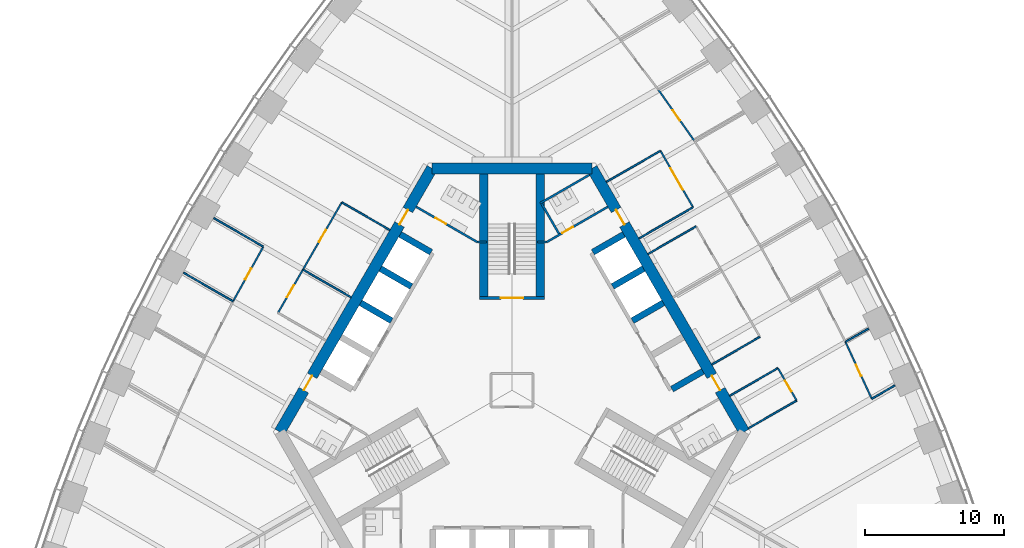
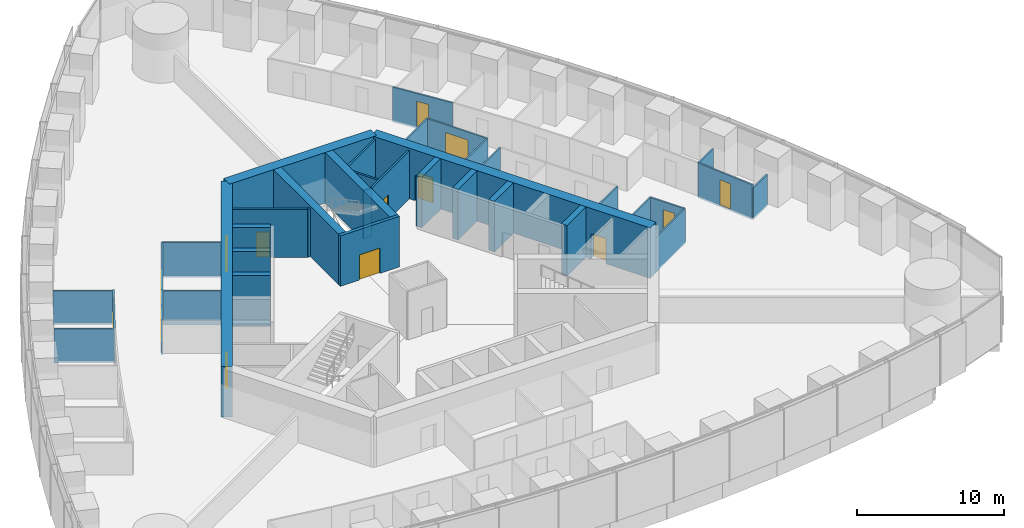
# One storey, part 12 of 18: 38 walls, 14 doors, 14 openings.
"""IFC4 building model written with IfcOpenShell, lengths in metres."""

from ifc_helpers import new_model, si_unit, direction, frame, frame_2d, origin, place, context, subcontext, project, spatial, rectangle, extrude, material, layer, layer_set, type_object, element, fill, save


model = new_model("IFC4")

# Units and contexts
model_context = context("Model", 3, precision=1e-05, world=origin(), true_north=direction((0.0, 1.0)))
body_context = subcontext(model_context, "Body", "Model", "MODEL_VIEW")
ifc_project = project(units=[si_unit("LENGTHUNIT", "METRE"), si_unit("AREAUNIT", "SQUARE_METRE"), si_unit("VOLUMEUNIT", "CUBIC_METRE"), si_unit("PLANEANGLEUNIT", "RADIAN"), si_unit("MASSUNIT", "GRAM", prefix="KILO")], contexts=[model_context])

# Site, building, storey
site_placement = place(None, origin())
site = spatial("IfcSite", under=ifc_project, at=site_placement, CompositionType="ELEMENT")
building_placement = place(site_placement, origin())
building = spatial("IfcBuilding", under=site, at=building_placement, Name="Trefoil Bronze Tower", CompositionType="ELEMENT")
storey_placement = place(building_placement, frame((0.0, 0.0, 157.699951171875)))
storey = spatial("IfcBuildingStorey", under=building, at=storey_placement, Name="L36", CompositionType="ELEMENT", Elevation=157.699951171875)

# Wall, openings, doors
ifc_material_1 = material(Name="Concrete B80", Category="concrete")
ifc_layer_1 = layer(ifc_material_1, 0.800048828125)
ifc_layer_set_1 = layer_set([ifc_layer_1], Name="Core wall 800")
wall_type_1 = type_object("IfcWallType", Name="Core wall 800", PredefinedType="SHEAR", material=ifc_layer_set_1)
wall_1_placement = place(storey_placement, frame((16.7431640625, -3.0, 0.0), z_axis=(0.0, 0.0, 1.0), x_axis=(-0.500002442456, 0.866023993627, 0.0)))
wall_1 = element("IfcWall", 1, at=wall_1_placement, inside=storey, type_object=wall_type_1, Name="Core long wall 2 L36", PredefinedType="SHEAR", context=body_context, shape_type="SweptSolid", body=[
    extrude(rectangle(XDim=21.939453125, YDim=0.800048828125, at=frame_2d((10.9697265625, 0.0))), origin(), (0.0, 0.0, 1.0), 4.199951171875),
])
opening_1_placement = place(wall_1_placement, frame((17.269775390625, 0.0, 0.0)))
opening_1 = element("IfcOpeningElement", 2, at=opening_1_placement, cuts=wall_1, Name="Opening D2", PredefinedType="OPENING", context=body_context, shape_type="SweptSolid", body=[
    extrude(rectangle(XDim=1.199951171875, YDim=2.10009765625, at=frame_2d((0.60009765625, 1.050048828125))), frame((0.0, 0.409912109375, 0.0), z_axis=(0.0, -1.0, 0.0), x_axis=(1.0, 0.0, 0.0)), (0.0, 0.0, 1.0), 0.820068359375),
])
opening_2_placement = place(wall_1_placement, frame((3.4697265625, 0.0, 0.0)))
opening_2 = element("IfcOpeningElement", 3, at=opening_2_placement, cuts=wall_1, Name="Opening D2", PredefinedType="OPENING", context=body_context, shape_type="SweptSolid", body=[
    extrude(rectangle(XDim=1.199951171875, YDim=2.10009765625, at=frame_2d((0.60009765625, 1.050048828125))), frame((0.0, 0.409912109375, 0.0), z_axis=(0.0, -1.0, 0.0), x_axis=(1.0, 0.0, 0.0)), (0.0, 0.0, 1.0), 0.820068359375),
])
ifc_material_2 = material(Name="Steel door", Category="steel")
door_type_1 = type_object("IfcDoorType", Name="Lobby door 1200", OperationType="SINGLE_SWING_RIGHT", PredefinedType="DOOR", material=ifc_material_2)
door_1_placement = place(opening_1_placement, origin())
door_1 = element("IfcDoor", 4, at=door_1_placement, inside=storey, type_object=door_type_1, Name="Lobby door F2+ L36", OperationType="SINGLE_SWING_RIGHT", OverallHeight=2.10009765625, OverallWidth=1.199951171875, PredefinedType="DOOR", context=body_context, shape_type="SweptSolid", body=[
    extrude(rectangle(XDim=1.199951171875, YDim=2.10009765625, at=frame_2d((0.60009765625, 1.050048828125))), frame((0.0, 0.02490234375, 0.0), z_axis=(0.0, -1.0, 0.0), x_axis=(1.0, 0.0, 0.0)), (0.0, 0.0, 1.0), 0.050048828125),
])
fill(opening_1, door_1)
door_2_placement = place(opening_2_placement, origin())
door_2 = element("IfcDoor", 5, at=door_2_placement, inside=storey, type_object=door_type_1, Name="Lobby door F2- L36", OperationType="SINGLE_SWING_LEFT", OverallHeight=2.10009765625, OverallWidth=1.199951171875, PredefinedType="DOOR", context=body_context, shape_type="SweptSolid", body=[
    extrude(rectangle(XDim=1.199951171875, YDim=2.10009765625, at=frame_2d((0.60009765625, 1.050048828125))), frame((0.0, 0.02490234375, 0.0), z_axis=(0.0, -1.0, 0.0), x_axis=(1.0, 0.0, 0.0)), (0.0, 0.0, 1.0), 0.050048828125),
])
fill(opening_2, door_2)

# Wall
wall_2_placement = place(storey_placement, frame((5.7734375, 16.0, 0.0), z_axis=(0.0, 0.0, 1.0), x_axis=(-1.0, 0.0, 0.0)))
element("IfcWall", 6, at=wall_2_placement, inside=storey, type_object=wall_type_1, Name="Core short wall 2 L36", PredefinedType="SHEAR", context=body_context, shape_type="SweptSolid", body=[
    extrude(rectangle(XDim=11.546875, YDim=0.800048828125, at=frame_2d((5.7734375, 0.0))), origin(), (0.0, 0.0, 1.0), 4.199951171875),
])

# Wall, openings, doors
wall_3_placement = place(storey_placement, frame((-5.7734375, 16.0, 0.0), z_axis=(0.0, 0.0, 1.0), x_axis=(-0.500002442456, -0.866023993627, 0.0)))
wall_3 = element("IfcWall", 7, at=wall_3_placement, inside=storey, type_object=wall_type_1, Name="Core long wall 3 L36", PredefinedType="SHEAR", context=body_context, shape_type="SweptSolid", body=[
    extrude(rectangle(XDim=21.939453125, YDim=0.800048828125, at=frame_2d((10.9697265625, 0.0))), origin(), (0.0, 0.0, 1.0), 4.199951171875),
])
opening_3_placement = place(wall_3_placement, frame((17.269775390625, 0.0, 0.0)))
opening_3 = element("IfcOpeningElement", 8, at=opening_3_placement, cuts=wall_3, Name="Opening D2", PredefinedType="OPENING", context=body_context, shape_type="SweptSolid", body=[
    extrude(rectangle(XDim=1.199951171875, YDim=2.10009765625, at=frame_2d((0.60009765625, 1.050048828125))), frame((0.0, 0.409912109375, 0.0), z_axis=(0.0, -1.0, 0.0), x_axis=(1.0, 0.0, 0.0)), (0.0, 0.0, 1.0), 0.820068359375),
])
opening_4_placement = place(wall_3_placement, frame((3.4697265625, 0.0, 0.0)))
opening_4 = element("IfcOpeningElement", 9, at=opening_4_placement, cuts=wall_3, Name="Opening D2", PredefinedType="OPENING", context=body_context, shape_type="SweptSolid", body=[
    extrude(rectangle(XDim=1.199951171875, YDim=2.10009765625, at=frame_2d((0.60009765625, 1.050048828125))), frame((0.0, 0.409912109375, 0.0), z_axis=(0.0, -1.0, 0.0), x_axis=(1.0, 0.0, 0.0)), (0.0, 0.0, 1.0), 0.820068359375),
])
door_3_placement = place(opening_3_placement, origin())
door_3 = element("IfcDoor", 10, at=door_3_placement, inside=storey, type_object=door_type_1, Name="Lobby door F3+ L36", OperationType="SINGLE_SWING_RIGHT", OverallHeight=2.10009765625, OverallWidth=1.199951171875, PredefinedType="DOOR", context=body_context, shape_type="SweptSolid", body=[
    extrude(rectangle(XDim=1.199951171875, YDim=2.10009765625, at=frame_2d((0.60009765625, 1.050048828125))), frame((0.0, 0.02490234375, 0.0), z_axis=(0.0, -1.0, 0.0), x_axis=(1.0, 0.0, 0.0)), (0.0, 0.0, 1.0), 0.050048828125),
])
fill(opening_3, door_3)
door_4_placement = place(opening_4_placement, origin())
door_4 = element("IfcDoor", 11, at=door_4_placement, inside=storey, type_object=door_type_1, Name="Lobby door F3- L36", OperationType="SINGLE_SWING_LEFT", OverallHeight=2.10009765625, OverallWidth=1.199951171875, PredefinedType="DOOR", context=body_context, shape_type="SweptSolid", body=[
    extrude(rectangle(XDim=1.199951171875, YDim=2.10009765625, at=frame_2d((0.60009765625, 1.050048828125))), frame((0.0, 0.02490234375, 0.0), z_axis=(0.0, -1.0, 0.0), x_axis=(1.0, 0.0, 0.0)), (0.0, 0.0, 1.0), 0.050048828125),
])
fill(opening_4, door_4)

# Wall, opening, door
ifc_material_3 = material(Name="Glazed partition", Category="glass")
ifc_layer_2 = layer(ifc_material_3, 0.1201171875)
ifc_layer_set_2 = layer_set([ifc_layer_2], Name="Glazed partition 120")
wall_type_2 = type_object("IfcWallType", Name="Glazed partition 120", PredefinedType="PARTITIONING", material=ifc_layer_set_2)
wall_4_placement = place(storey_placement, frame((13.0517578125, 13.193603515625, 0.0), z_axis=(0.0, 0.0, 1.0), x_axis=(-0.499977259774, 0.866038532462, 0.0)))
wall_4 = element("IfcWall", 12, at=wall_4_placement, inside=storey, type_object=wall_type_2, Name="Partition F2 L36", PredefinedType="PARTITIONING", context=body_context, shape_type="SweptSolid", body=[
    extrude(rectangle(XDim=4.699951171875, YDim=0.1201171875, at=frame_2d((2.35009765625, 0.0))), origin(), (0.0, 0.0, 1.0), 2.900146484375),
])
opening_5_placement = place(wall_4_placement, frame((1.449951171875, 0.0, 0.14990234375)))
opening_5 = element("IfcOpeningElement", 13, at=opening_5_placement, cuts=wall_4, Name="Opening D10", PredefinedType="OPENING", context=body_context, shape_type="SweptSolid", body=[
    extrude(rectangle(XDim=1.800048828125, YDim=2.10009765625, at=frame_2d((0.89990234375, 1.050048828125))), frame((0.0, 0.070068359375, 0.0), z_axis=(0.0, -1.0, 0.0), x_axis=(1.0, 0.0, 0.0)), (0.0, 0.0, 1.0), 0.14013671875),
])
ifc_material_4 = material(Name="Timber door", Category="wood")
door_type_2 = type_object("IfcDoorType", Name="Double door 1800", OperationType="DOUBLE_DOOR_SINGLE_SWING", PredefinedType="DOOR", material=ifc_material_4)
door_5_placement = place(opening_5_placement, origin())
door_5 = element("IfcDoor", 14, at=door_5_placement, inside=storey, type_object=door_type_2, Name="Reception door F2 L36", OperationType="DOUBLE_DOOR_SINGLE_SWING", OverallHeight=2.10009765625, OverallWidth=1.800048828125, PredefinedType="DOOR", context=body_context, shape_type="SweptSolid", body=[
    extrude(rectangle(XDim=1.800048828125, YDim=2.10009765625, at=frame_2d((0.89990234375, 1.050048828125))), frame((0.0, 0.02490234375, 0.0), z_axis=(0.0, -1.0, 0.0), x_axis=(1.0, 0.0, 0.0)), (0.0, 0.0, 1.0), 0.050048828125),
])
fill(opening_5, door_5)

wall_5_placement = place(storey_placement, frame((20.518798828125, -0.73974609375, 0.0), z_axis=(0.0, 0.0, 1.0), x_axis=(-0.4999416173, 0.866059108428, 0.0)))
wall_5 = element("IfcWall", 15, at=wall_5_placement, inside=storey, type_object=wall_type_2, Name="Partition F2 L36", PredefinedType="PARTITIONING", context=body_context, shape_type="SweptSolid", body=[
    extrude(rectangle(XDim=2.699951171875, YDim=0.1201171875, at=frame_2d((1.35009765625, 0.0))), origin(), (0.0, 0.0, 1.0), 2.900146484375),
])
opening_6_placement = place(wall_5_placement, frame((0.75, 0.0, 0.14990234375)))
opening_6 = element("IfcOpeningElement", 16, at=opening_6_placement, cuts=wall_5, Name="Opening D8", PredefinedType="OPENING", context=body_context, shape_type="SweptSolid", body=[
    extrude(rectangle(XDim=0.89990234375, YDim=2.10009765625, at=frame_2d((0.449951171875, 1.050048828125))), frame((0.0, 0.070068359375, 0.0), z_axis=(0.0, -1.0, 0.0), x_axis=(1.0, 0.0, 0.0)), (0.0, 0.0, 1.0), 0.14013671875),
])
ifc_material_5 = material(Name="Timber door", Category="wood")
door_type_3 = type_object("IfcDoorType", Name="Office door 900", OperationType="SINGLE_SWING_LEFT", PredefinedType="DOOR", material=ifc_material_5)
door_6_placement = place(opening_6_placement, origin())
door_6 = element("IfcDoor", 17, at=door_6_placement, inside=storey, type_object=door_type_3, Name="Pantry door F2 L36", OperationType="SINGLE_SWING_LEFT", OverallHeight=2.10009765625, OverallWidth=0.89990234375, PredefinedType="DOOR", context=body_context, shape_type="SweptSolid", body=[
    extrude(rectangle(XDim=0.89990234375, YDim=2.10009765625, at=frame_2d((0.449951171875, 1.050048828125))), frame((0.0, 0.02490234375, 0.0), z_axis=(0.0, -1.0, 0.0), x_axis=(1.0, 0.0, 0.0)), (0.0, 0.0, 1.0), 0.050048828125),
])
fill(opening_6, door_6)

# Walls
wall_6_placement = place(storey_placement, frame((9.8046875, 9.817626953125, 0.0), z_axis=(0.0, 0.0, 1.0), x_axis=(0.866026010844, 0.49999894854, 0.0)))
element("IfcWall", 18, at=wall_6_placement, inside=storey, type_object=wall_type_2, Name="Partition F2 L36", PredefinedType="PARTITIONING", context=body_context, shape_type="SweptSolid", body=[
    extrude(rectangle(XDim=4.0, YDim=0.1201171875, at=frame_2d((2.0, 0.0))), origin(), (0.0, 0.0, 1.0), 2.900146484375),
])
wall_7_placement = place(storey_placement, frame((9.15478515625, 10.943603515625, 0.0), z_axis=(0.0, 0.0, 1.0), x_axis=(0.866017533419, 0.500013631625, 0.0)))
element("IfcWall", 19, at=wall_7_placement, inside=storey, type_object=wall_type_2, Name="Partition F2 L36", PredefinedType="PARTITIONING", context=body_context, shape_type="SweptSolid", body=[
    extrude(rectangle(XDim=4.499755859375, YDim=0.1201171875, at=frame_2d((2.25, 0.0))), origin(), (0.0, 0.0, 1.0), 2.900146484375),
])
wall_8_placement = place(storey_placement, frame((6.8046875, 15.013916015625, 0.0), z_axis=(0.0, 0.0, 1.0), x_axis=(0.866031096941, 0.499990139034, 0.0)))
element("IfcWall", 20, at=wall_8_placement, inside=storey, type_object=wall_type_2, Name="Partition F2 L36", PredefinedType="PARTITIONING", context=body_context, shape_type="SweptSolid", body=[
    extrude(rectangle(XDim=4.5, YDim=0.1201171875, at=frame_2d((2.25, 0.0))), origin(), (0.0, 0.0, 1.0), 2.900146484375),
])
for number, where, z_axis, x_axis, name in (
    (21, (17.0546875, -2.73974609375, 0.0), (0.0, 0.0, 1.0), (0.866026010844, 0.49999894854, 0.0), "Partition F2 L36"),
    (22, (14.40478515625, 1.850341796875, 0.0), (0.0, 0.0, 1.0), (0.866026010844, 0.49999894854, 0.0), "Partition F2 L36"),
    (23, (15.704833984375, -0.4013671875, 0.0), (0.0, 0.0, 1.0), (0.866026010844, 0.49999894854, 0.0), "Partition F2 L36"),
):
    element("IfcWall", number, at=place(storey_placement, frame(where, z_axis=z_axis, x_axis=x_axis)), inside=storey, type_object=wall_type_2, Name=name, PredefinedType="PARTITIONING", context=body_context, shape_type="SweptSolid", body=[
        extrude(rectangle(XDim=4.0, YDim=0.1201171875, at=frame_2d((2.0, 0.0))), origin(), (0.0, 0.0, 1.0), 2.900146484375),
    ])

# Wall, opening, door
wall_9_placement = place(storey_placement, frame((13.145263671875, 17.981689453125, 0.0), z_axis=(0.0, 0.0, 1.0), x_axis=(-0.575987178736, 0.817458726745, 0.0)))
wall_9 = element("IfcWall", 24, at=wall_9_placement, inside=storey, type_object=wall_type_2, Name="Partition F2 L36", PredefinedType="PARTITIONING", context=body_context, shape_type="SweptSolid", body=[
    extrude(rectangle(XDim=4.518310546875, YDim=0.1201171875, at=frame_2d((2.25927734375, 0.0))), origin(), (0.0, 0.0, 1.0), 2.900146484375),
])
opening_7_placement = place(wall_9_placement, frame((1.800048828125, 0.0, 0.14990234375)))
opening_7 = element("IfcOpeningElement", 25, at=opening_7_placement, cuts=wall_9, Name="Opening D8", PredefinedType="OPENING", context=body_context, shape_type="SweptSolid", body=[
    extrude(rectangle(XDim=0.89990234375, YDim=2.10009765625, at=frame_2d((0.449951171875, 1.050048828125))), frame((0.0, 0.070068359375, 0.0), z_axis=(0.0, -1.0, 0.0), x_axis=(1.0, 0.0, 0.0)), (0.0, 0.0, 1.0), 0.14013671875),
])
door_7_placement = place(opening_7_placement, frame((0.89990234375, 0.0, 0.0), z_axis=(0.0, 0.0, 1.0), x_axis=(-1.0, 0.0, 0.0)))
door_7 = element("IfcDoor", 26, at=door_7_placement, inside=storey, type_object=door_type_3, Name="Office door F2 L36", OperationType="SINGLE_SWING_RIGHT", OverallHeight=2.10009765625, OverallWidth=0.89990234375, PredefinedType="DOOR", context=body_context, shape_type="SweptSolid", body=[
    extrude(rectangle(XDim=0.89990234375, YDim=2.10009765625, at=frame_2d((0.449951171875, 1.050048828125))), frame((0.0, 0.02490234375, 0.0), z_axis=(0.0, -1.0, 0.0), x_axis=(1.0, 0.0, 0.0)), (0.0, 0.0, 1.0), 0.050048828125),
])
fill(opening_7, door_7)

wall_10_placement = place(storey_placement, frame((25.934814453125, -0.614990234375, 0.0), z_axis=(0.0, 0.0, 1.0), x_axis=(-0.41992827805, 0.90755729367, 0.0)))
wall_10 = element("IfcWall", 27, at=wall_10_placement, inside=storey, type_object=wall_type_2, Name="Partition F2 L36", PredefinedType="PARTITIONING", context=body_context, shape_type="SweptSolid", body=[
    extrude(rectangle(XDim=4.5185546875, YDim=0.1201171875, at=frame_2d((2.25927734375, 0.0))), origin(), (0.0, 0.0, 1.0), 2.900146484375),
])
opening_8_placement = place(wall_10_placement, frame((1.800048828125, 0.0, 0.14990234375)))
opening_8 = element("IfcOpeningElement", 28, at=opening_8_placement, cuts=wall_10, Name="Opening D8", PredefinedType="OPENING", context=body_context, shape_type="SweptSolid", body=[
    extrude(rectangle(XDim=0.89990234375, YDim=2.10009765625, at=frame_2d((0.449951171875, 1.050048828125))), frame((0.0, 0.070068359375, 0.0), z_axis=(0.0, -1.0, 0.0), x_axis=(1.0, 0.0, 0.0)), (0.0, 0.0, 1.0), 0.14013671875),
])
door_8_placement = place(opening_8_placement, frame((0.89990234375, 0.0, 0.0), z_axis=(0.0, 0.0, 1.0), x_axis=(-1.0, 0.0, 0.0)))
door_8 = element("IfcDoor", 29, at=door_8_placement, inside=storey, type_object=door_type_3, Name="Comms room door F2 L36", OperationType="SINGLE_SWING_RIGHT", OverallHeight=2.10009765625, OverallWidth=0.89990234375, PredefinedType="DOOR", context=body_context, shape_type="SweptSolid", body=[
    extrude(rectangle(XDim=0.89990234375, YDim=2.10009765625, at=frame_2d((0.449951171875, 1.050048828125))), frame((0.0, 0.02490234375, 0.0), z_axis=(0.0, -1.0, 0.0), x_axis=(1.0, 0.0, 0.0)), (0.0, 0.0, 1.0), 0.050048828125),
])
fill(opening_8, door_8)

# Walls
wall_11_placement = place(storey_placement, frame((25.934814453125, -0.614990234375, 0.0), z_axis=(0.0, 0.0, 1.0), x_axis=(0.866042003473, 0.499971247393, 0.0)))
element("IfcWall", 30, at=wall_11_placement, inside=storey, type_object=wall_type_2, Name="Partition F2 L36", PredefinedType="PARTITIONING", context=body_context, shape_type="SweptSolid", body=[
    extrude(rectangle(XDim=1.92529296875, YDim=0.1201171875, at=frame_2d((0.962646484375, 0.0))), origin(), (0.0, 0.0, 1.0), 2.60009765625),
])
wall_12_placement = place(storey_placement, frame((24.037353515625, 3.48583984375, 0.0), z_axis=(0.0, 0.0, 1.0), x_axis=(0.866040295995, 0.499974205047, 0.0)))
element("IfcWall", 31, at=wall_12_placement, inside=storey, type_object=wall_type_2, Name="Partition F2 L36", PredefinedType="PARTITIONING", context=body_context, shape_type="SweptSolid", body=[
    extrude(rectangle(XDim=1.9306640625, YDim=0.1201171875, at=frame_2d((0.96533203125, 0.0))), origin(), (0.0, 0.0, 1.0), 2.900146484375),
])

# Wall, opening, door
wall_13_placement = place(storey_placement, frame((-15.06884765625, 8.699951171875, 0.0), z_axis=(0.0, 0.0, 1.0), x_axis=(-0.500012057535, -0.866018442252, 0.0)))
wall_13 = element("IfcWall", 32, at=wall_13_placement, inside=storey, type_object=wall_type_2, Name="Partition F3 L36", PredefinedType="PARTITIONING", context=body_context, shape_type="SweptSolid", body=[
    extrude(rectangle(XDim=3.60009765625, YDim=0.1201171875, at=frame_2d((1.800048828125, 0.0))), origin(), (0.0, 0.0, 1.0), 2.900146484375),
])
opening_9_placement = place(wall_13_placement, frame((1.300048828125, 0.0, 0.14990234375)))
opening_9 = element("IfcOpeningElement", 33, at=opening_9_placement, cuts=wall_13, Name="Opening D9", PredefinedType="OPENING", context=body_context, shape_type="SweptSolid", body=[
    extrude(rectangle(XDim=1.0, YDim=2.10009765625, at=frame_2d((0.5, 1.050048828125))), frame((0.0, 0.070068359375, 0.0), z_axis=(0.0, -1.0, 0.0), x_axis=(1.0, 0.0, 0.0)), (0.0, 0.0, 1.0), 0.14013671875),
])
ifc_material_6 = material(Name="Glazed timber door", Category="wood")
door_type_4 = type_object("IfcDoorType", Name="Meeting room door 1000", OperationType="SINGLE_SWING_LEFT", PredefinedType="DOOR", material=ifc_material_6)
door_9_placement = place(opening_9_placement, origin())
door_9 = element("IfcDoor", 34, at=door_9_placement, inside=storey, type_object=door_type_4, Name="Meeting room door F3 L36", OperationType="SINGLE_SWING_LEFT", OverallHeight=2.10009765625, OverallWidth=1.0, PredefinedType="DOOR", context=body_context, shape_type="SweptSolid", body=[
    extrude(rectangle(XDim=1.0, YDim=2.10009765625, at=frame_2d((0.5, 1.050048828125))), frame((0.0, 0.02490234375, 0.0), z_axis=(0.0, -1.0, 0.0), x_axis=(1.0, 0.0, 0.0)), (0.0, 0.0, 1.0), 0.050048828125),
])
fill(opening_9, door_9)

wall_14_placement = place(storey_placement, frame((-12.268798828125, 13.5498046875, 0.0), z_axis=(0.0, 0.0, 1.0), x_axis=(-0.49999793692, -0.866026594901, 0.0)))
wall_14 = element("IfcWall", 35, at=wall_14_placement, inside=storey, type_object=wall_type_2, Name="Partition F3 L36", PredefinedType="PARTITIONING", context=body_context, shape_type="SweptSolid", body=[
    extrude(rectangle(XDim=5.60009765625, YDim=0.1201171875, at=frame_2d((2.800048828125, 0.0))), origin(), (0.0, 0.0, 1.0), 2.900146484375),
])
opening_10_placement = place(wall_14_placement, frame((2.300048828125, 0.0, 0.14990234375)))
opening_10 = element("IfcOpeningElement", 36, at=opening_10_placement, cuts=wall_14, Name="Opening D9", PredefinedType="OPENING", context=body_context, shape_type="SweptSolid", body=[
    extrude(rectangle(XDim=1.0, YDim=2.10009765625, at=frame_2d((0.5, 1.050048828125))), frame((0.0, 0.070068359375, 0.0), z_axis=(0.0, -1.0, 0.0), x_axis=(1.0, 0.0, 0.0)), (0.0, 0.0, 1.0), 0.14013671875),
])
door_10_placement = place(opening_10_placement, origin())
door_10 = element("IfcDoor", 37, at=door_10_placement, inside=storey, type_object=door_type_4, Name="Meeting room door F3 L36", OperationType="SINGLE_SWING_RIGHT", OverallHeight=2.10009765625, OverallWidth=1.0, PredefinedType="DOOR", context=body_context, shape_type="SweptSolid", body=[
    extrude(rectangle(XDim=1.0, YDim=2.10009765625, at=frame_2d((0.5, 1.050048828125))), frame((0.0, 0.02490234375, 0.0), z_axis=(0.0, -1.0, 0.0), x_axis=(1.0, 0.0, 0.0)), (0.0, 0.0, 1.0), 0.050048828125),
])
fill(opening_10, door_10)

# Walls
wall_15_placement = place(storey_placement, frame((-11.604736328125, 6.699951171875, 0.0), z_axis=(0.0, 0.0, 1.0), x_axis=(-0.866026010844, 0.49999894854, 0.0)))
element("IfcWall", 38, at=wall_15_placement, inside=storey, type_object=wall_type_2, Name="Partition F3 L36", PredefinedType="PARTITIONING", context=body_context, shape_type="SweptSolid", body=[
    extrude(rectangle(XDim=4.0, YDim=0.1201171875, at=frame_2d((2.0, 0.0))), origin(), (0.0, 0.0, 1.0), 2.800048828125),
])
wall_16_placement = place(storey_placement, frame((-8.8046875, 11.5498046875, 0.0), z_axis=(0.0, 0.0, 1.0), x_axis=(-0.866026010844, 0.49999894854, 0.0)))
element("IfcWall", 39, at=wall_16_placement, inside=storey, type_object=wall_type_2, Name="Partition F3 L36", PredefinedType="PARTITIONING", context=body_context, shape_type="SweptSolid", body=[
    extrude(rectangle(XDim=4.0, YDim=0.1201171875, at=frame_2d((2.0, 0.0))), origin(), (0.0, 0.0, 1.0), 2.900146484375),
])

# Wall, opening, door
wall_17_placement = place(storey_placement, frame((-17.926513671875, 10.349853515625, 0.0), z_axis=(0.0, 0.0, 1.0), x_axis=(-0.484292898211, -0.874905931368, 0.0)))
wall_17 = element("IfcWall", 40, at=wall_17_placement, inside=storey, type_object=wall_type_2, Name="Partition F3 L36", PredefinedType="PARTITIONING", context=body_context, shape_type="SweptSolid", body=[
    extrude(rectangle(XDim=4.500732421875, YDim=0.1201171875, at=frame_2d((2.25048828125, 0.0))), origin(), (0.0, 0.0, 1.0), 2.900146484375),
])
opening_11_placement = place(wall_17_placement, frame((1.800048828125, 0.0, 0.14990234375)))
opening_11 = element("IfcOpeningElement", 41, at=opening_11_placement, cuts=wall_17, Name="Opening D8", PredefinedType="OPENING", context=body_context, shape_type="SweptSolid", body=[
    extrude(rectangle(XDim=0.89990234375, YDim=2.10009765625, at=frame_2d((0.449951171875, 1.050048828125))), frame((0.0, 0.070068359375, 0.0), z_axis=(0.0, -1.0, 0.0), x_axis=(1.0, 0.0, 0.0)), (0.0, 0.0, 1.0), 0.14013671875),
])
door_11_placement = place(opening_11_placement, frame((0.89990234375, 0.0, 0.0), z_axis=(0.0, 0.0, 1.0), x_axis=(-1.0, 0.0, 0.0)))
door_11 = element("IfcDoor", 42, at=door_11_placement, inside=storey, type_object=door_type_3, Name="Office door F3 L36", OperationType="SINGLE_SWING_RIGHT", OverallHeight=2.10009765625, OverallWidth=0.89990234375, PredefinedType="DOOR", context=body_context, shape_type="SweptSolid", body=[
    extrude(rectangle(XDim=0.89990234375, YDim=2.10009765625, at=frame_2d((0.449951171875, 1.050048828125))), frame((0.0, 0.02490234375, 0.0), z_axis=(0.0, -1.0, 0.0), x_axis=(1.0, 0.0, 0.0)), (0.0, 0.0, 1.0), 0.050048828125),
])
fill(opening_11, door_11)

# Walls
wall_18_placement = place(storey_placement, frame((-17.926513671875, 10.349853515625, 0.0), z_axis=(0.0, 0.0, 1.0), x_axis=(-0.866009926209, 0.50002680699, 0.0)))
element("IfcWall", 43, at=wall_18_placement, inside=storey, type_object=wall_type_2, Name="Partition F3 L36", PredefinedType="PARTITIONING", context=body_context, shape_type="SweptSolid", body=[
    extrude(rectangle(XDim=4.119873046875, YDim=0.1201171875, at=frame_2d((2.06005859375, 0.0))), origin(), (0.0, 0.0, 1.0), 2.800048828125),
])
wall_19_placement = place(storey_placement, frame((-20.106201171875, 6.412109375, 0.0), z_axis=(0.0, 0.0, 1.0), x_axis=(-0.866016800201, 0.500014901547, 0.0)))
element("IfcWall", 44, at=wall_19_placement, inside=storey, type_object=wall_type_2, Name="Partition F3 L36", PredefinedType="PARTITIONING", context=body_context, shape_type="SweptSolid", body=[
    extrude(rectangle(XDim=4.118896484375, YDim=0.1201171875, at=frame_2d((2.0595703125, 0.0))), origin(), (0.0, 0.0, 1.0), 2.800048828125),
])
ifc_material_7 = material(Name="Concrete B80", Category="concrete")
ifc_layer_3 = layer(ifc_material_7, 0.449951171875)
ifc_layer_set_3 = layer_set([ifc_layer_3], Name="Outrigger shaft wall 450")
wall_type_3 = type_object("IfcWallType", Name="Outrigger shaft wall 450", PredefinedType="SHEAR", material=ifc_layer_set_3)
for number, where, z_axis, x_axis, name in (
    (45, (11.531982421875, 0.076171875, 0.0), (0.0, 0.0, 1.0), (0.866005588531, 0.500034319456, 0.0), "Lift shaft side wall B0 L36"),
    (46, (8.681884765625, 5.012451171875, 0.0), (0.0, 0.0, 1.0), (0.866005588531, 0.500034319456, 0.0), "Lift shaft side wall B2 L36"),
    (47, (7.2568359375, 7.480712890625, 0.0), (0.0, 0.0, 1.0), (0.866046643894, 0.499963209246, 0.0), "Lift shaft side wall B3 L36"),
):
    element("IfcWall", number, at=place(storey_placement, frame(where, z_axis=z_axis, x_axis=x_axis)), inside=storey, type_object=wall_type_3, Name=name, PredefinedType="SHEAR", context=body_context, shape_type="SweptSolid", body=[
        extrude(rectangle(XDim=2.574951171875, YDim=0.449951171875, at=frame_2d((1.28759765625, 0.0))), origin(), (0.0, 0.0, 1.0), 4.199951171875),
    ])
for number, where, z_axis, x_axis, name in (
    (48, (5.831787109375, 9.94873046875, 0.0), (0.0, 0.0, 1.0), (0.866029291668, 0.499993265928, 0.0), "Lift shaft side wall B4 L36"),
    (49, (-5.831787109375, 9.94873046875, 0.0), (0.0, 0.0, 1.0), (-0.866029291668, 0.499993265928, 0.0), "Lift shaft side wall C0 L36"),
):
    element("IfcWall", number, at=place(storey_placement, frame(where, z_axis=z_axis, x_axis=x_axis)), inside=storey, type_object=wall_type_3, Name=name, PredefinedType="SHEAR", context=body_context, shape_type="SweptSolid", body=[
        extrude(rectangle(XDim=2.5751953125, YDim=0.449951171875, at=frame_2d((1.28759765625, 0.0))), origin(), (0.0, 0.0, 1.0), 4.199951171875),
    ])
for number, where, z_axis, x_axis, name in (
    (50, (-7.2568359375, 7.480712890625, 0.0), (0.0, 0.0, 1.0), (-0.866046643894, 0.499963209246, 0.0), "Lift shaft side wall C1 L36"),
    (51, (-8.681884765625, 5.012451171875, 0.0), (0.0, 0.0, 1.0), (-0.866005588531, 0.500034319456, 0.0), "Lift shaft side wall C2 L36"),
):
    element("IfcWall", number, at=place(storey_placement, frame(where, z_axis=z_axis, x_axis=x_axis)), inside=storey, type_object=wall_type_3, Name=name, PredefinedType="SHEAR", context=body_context, shape_type="SweptSolid", body=[
        extrude(rectangle(XDim=2.574951171875, YDim=0.449951171875, at=frame_2d((1.28759765625, 0.0))), origin(), (0.0, 0.0, 1.0), 4.199951171875),
    ])

# Wall, opening, door
ifc_material_8 = material(Name="Gypsum board on steel studs", Category="steel")
ifc_layer_4 = layer(ifc_material_8, 0.14990234375)
ifc_layer_set_4 = layer_set([ifc_layer_4], Name="Partition 150")
wall_type_4 = type_object("IfcWallType", Name="Partition 150", PredefinedType="PARTITIONING", material=ifc_layer_set_4)
wall_20_placement = place(storey_placement, frame((2.4951171875, 10.67822265625, 0.0), z_axis=(0.0, 0.0, 1.0), x_axis=(0.86602216432, 0.500005610874, 0.0)))
wall_20 = element("IfcWall", 52, at=wall_20_placement, inside=storey, type_object=wall_type_4, Name="Passage wall F2+ L36", PredefinedType="PARTITIONING", context=body_context, shape_type="SweptSolid", body=[
    extrude(rectangle(XDim=5.10009765625, YDim=0.14990234375, at=frame_2d((2.550048828125, 0.0))), origin(), (0.0, 0.0, 1.0), 4.0),
])
opening_12_placement = place(wall_20_placement, frame((1.300048828125, 0.0, 0.0)))
opening_12 = element("IfcOpeningElement", 53, at=opening_12_placement, cuts=wall_20, Name="Opening D3", PredefinedType="OPENING", context=body_context, shape_type="SweptSolid", body=[
    extrude(rectangle(XDim=0.89990234375, YDim=2.10009765625, at=frame_2d((0.449951171875, 1.050048828125))), frame((0.0, 0.0849609375, 0.0), z_axis=(0.0, -1.0, 0.0), x_axis=(1.0, 0.0, 0.0)), (0.0, 0.0, 1.0), 0.169921875),
])
ifc_material_9 = material(Name="Timber door", Category="wood")
door_type_5 = type_object("IfcDoorType", Name="WC door 900", OperationType="SINGLE_SWING_LEFT", PredefinedType="DOOR", material=ifc_material_9)
door_12_placement = place(opening_12_placement, origin())
door_12 = element("IfcDoor", 54, at=door_12_placement, inside=storey, type_object=door_type_5, Name="WC (men) door L36", OperationType="SINGLE_SWING_LEFT", OverallHeight=2.10009765625, OverallWidth=0.89990234375, PredefinedType="DOOR", context=body_context, shape_type="SweptSolid", body=[
    extrude(rectangle(XDim=0.89990234375, YDim=2.10009765625, at=frame_2d((0.449951171875, 1.050048828125))), frame((0.0, 0.02490234375, 0.0), z_axis=(0.0, -1.0, 0.0), x_axis=(1.0, 0.0, 0.0)), (0.0, 0.0, 1.0), 0.050048828125),
])
fill(opening_12, door_12)

wall_21_placement = place(storey_placement, frame((-2.4951171875, 10.67822265625, 0.0), z_axis=(0.0, 0.0, 1.0), x_axis=(-0.86602216432, 0.500005610874, 0.0)))
wall_21 = element("IfcWall", 55, at=wall_21_placement, inside=storey, type_object=wall_type_4, Name="Passage wall F3- L36", PredefinedType="PARTITIONING", context=body_context, shape_type="SweptSolid", body=[
    extrude(rectangle(XDim=5.10009765625, YDim=0.14990234375, at=frame_2d((2.550048828125, 0.0))), origin(), (0.0, 0.0, 1.0), 4.0),
])
opening_13_placement = place(wall_21_placement, frame((2.60009765625, 0.0, 0.0)))
opening_13 = element("IfcOpeningElement", 56, at=opening_13_placement, cuts=wall_21, Name="Opening D3", PredefinedType="OPENING", context=body_context, shape_type="SweptSolid", body=[
    extrude(rectangle(XDim=0.89990234375, YDim=2.10009765625, at=frame_2d((0.449951171875, 1.050048828125))), frame((0.0, 0.0849609375, 0.0), z_axis=(0.0, -1.0, 0.0), x_axis=(1.0, 0.0, 0.0)), (0.0, 0.0, 1.0), 0.169921875),
])
door_13_placement = place(opening_13_placement, frame((0.89990234375, 0.0, 0.0), z_axis=(0.0, 0.0, 1.0), x_axis=(-1.0, 0.0, 0.0)))
door_13 = element("IfcDoor", 57, at=door_13_placement, inside=storey, type_object=door_type_5, Name="WC (women) door L36", OperationType="SINGLE_SWING_LEFT", OverallHeight=2.10009765625, OverallWidth=0.89990234375, PredefinedType="DOOR", context=body_context, shape_type="SweptSolid", body=[
    extrude(rectangle(XDim=0.89990234375, YDim=2.10009765625, at=frame_2d((0.449951171875, 1.050048828125))), frame((0.0, 0.02490234375, 0.0), z_axis=(0.0, -1.0, 0.0), x_axis=(1.0, 0.0, 0.0)), (0.0, 0.0, 1.0), 0.050048828125),
])
fill(opening_13, door_13)

# Walls
for number, where, z_axis, x_axis, name in (
    (58, (2.4951171875, 10.67822265625, 0.0), (0.0, 0.0, 1.0), (-1.0, 0.0, 0.0), "WC wall ST2-1 L36"),
    (59, (-2.4951171875, 10.67822265625, 0.0), (0.0, 0.0, 1.0), (1.0, 0.0, 0.0), "WC wall ST2+1 L36"),
):
    element("IfcWall", number, at=place(storey_placement, frame(where, z_axis=z_axis, x_axis=x_axis)), inside=storey, type_object=wall_type_4, Name=name, PredefinedType="PARTITIONING", context=body_context, shape_type="SweptSolid", body=[
        extrude(rectangle(XDim=0.64501953125, YDim=0.14990234375, at=frame_2d((0.322509765625, 0.0))), origin(), (0.0, 0.0, 1.0), 4.0),
    ])
wall_22_placement = place(storey_placement, frame((2.03125, 13.48193359375, 0.0), z_axis=(0.0, 0.0, 1.0), x_axis=(0.866050731258, 0.499956128963, 0.0)))
element("IfcWall", 60, at=wall_22_placement, inside=storey, type_object=wall_type_4, Name="WC partition WC (men) L36", PredefinedType="PARTITIONING", context=body_context, shape_type="SweptSolid", body=[
    extrude(rectangle(XDim=4.099853515625, YDim=0.14990234375, at=frame_2d((2.0498046875, 0.0))), origin(), (0.0, 0.0, 1.0), 4.0),
])
wall_23_placement = place(storey_placement, frame((3.388671875, 11.28076171875, 0.0), z_axis=(0.0, 0.0, 1.0), x_axis=(-0.499989096993, 0.866031698547, 0.0)))
element("IfcWall", 61, at=wall_23_placement, inside=storey, type_object=wall_type_4, Name="WC partition WC (men) L36", PredefinedType="PARTITIONING", context=body_context, shape_type="SweptSolid", body=[
    extrude(rectangle(XDim=2.509765625, YDim=0.14990234375, at=frame_2d((1.2548828125, 0.0))), origin(), (0.0, 0.0, 1.0), 4.0),
])

# Wall, opening, door
ifc_material_10 = material(Name="Concrete B80", Category="concrete")
ifc_layer_5 = layer(ifc_material_10, 0.25)
ifc_layer_set_5 = layer_set([ifc_layer_5], Name="Shaft wall 250")
wall_type_5 = type_object("IfcWallType", Name="Shaft wall 250", PredefinedType="SHEAR", material=ifc_layer_set_5)
wall_24_placement = place(storey_placement, frame((2.324951171875, 6.64990234375, 0.0), z_axis=(0.0, 0.0, 1.0), x_axis=(-1.0, 0.0, 0.0)))
wall_24 = element("IfcWall", 62, at=wall_24_placement, inside=storey, type_object=wall_type_5, Name="Stair end wall ST2 L36", PredefinedType="SHEAR", context=body_context, shape_type="SweptSolid", body=[
    extrude(rectangle(XDim=4.64990234375, YDim=0.25, at=frame_2d((2.324951171875, 0.0))), origin(), (0.0, 0.0, 1.0), 4.199951171875),
])
opening_14_placement = place(wall_24_placement, frame((1.52490234375, 0.0, 0.0)))
opening_14 = element("IfcOpeningElement", 63, at=opening_14_placement, cuts=wall_24, Name="Opening D1", PredefinedType="OPENING", context=body_context, shape_type="SweptSolid", body=[
    extrude(rectangle(XDim=1.60009765625, YDim=2.10009765625, at=frame_2d((0.800048828125, 1.050048828125))), frame((0.0, 0.135009765625, 0.0), z_axis=(0.0, -1.0, 0.0), x_axis=(1.0, 0.0, 0.0)), (0.0, 0.0, 1.0), 0.27001953125),
])
ifc_material_11 = material(Name="Steel door", Category="steel")
door_type_6 = type_object("IfcDoorType", Name="Stair door 1600", OperationType="DOUBLE_DOOR_SINGLE_SWING", PredefinedType="DOOR", material=ifc_material_11)
door_14_placement = place(opening_14_placement, frame((1.60009765625, 0.0, 0.0), z_axis=(0.0, 0.0, 1.0), x_axis=(-1.0, 0.0, 0.0)))
door_14 = element("IfcDoor", 64, at=door_14_placement, inside=storey, type_object=door_type_6, Name="Stair door ST2 L36", OperationType="DOUBLE_DOOR_SINGLE_SWING", OverallHeight=2.10009765625, OverallWidth=1.60009765625, PredefinedType="DOOR", context=body_context, shape_type="SweptSolid", body=[
    extrude(rectangle(XDim=1.60009765625, YDim=2.10009765625, at=frame_2d((0.800048828125, 1.050048828125))), frame((0.0, 0.02490234375, 0.0), z_axis=(0.0, -1.0, 0.0), x_axis=(1.0, 0.0, 0.0)), (0.0, 0.0, 1.0), 0.050048828125),
])
fill(opening_14, door_14)

# Walls
ifc_material_12 = material(Name="Concrete B80", Category="concrete")
ifc_layer_6 = layer(ifc_material_12, 0.60009765625)
ifc_layer_set_6 = layer_set([ifc_layer_6], Name="Stair wall 600")
wall_type_6 = type_object("IfcWallType", Name="Stair wall 600", PredefinedType="SHEAR", material=ifc_layer_set_6)
for number, where, z_axis, x_axis, name in (
    (65, (2.02490234375, 6.52490234375, 0.0), (0.0, 0.0, 1.0), (0.0, 1.0, 0.0), "Stair wall ST2 L36"),
    (66, (-2.02490234375, 6.52490234375, 0.0), (0.0, 0.0, 1.0), (0.0, 1.0, 0.0), "Stair wall ST2 L36"),
):
    element("IfcWall", number, at=place(storey_placement, frame(where, z_axis=z_axis, x_axis=x_axis)), inside=storey, type_object=wall_type_6, Name=name, PredefinedType="SHEAR", context=body_context, shape_type="SweptSolid", body=[
        extrude(rectangle(XDim=9.0751953125, YDim=0.60009765625, at=frame_2d((4.53759765625, 0.0))), origin(), (0.0, 0.0, 1.0), 4.199951171875),
    ])

save(model, "model.ifc")
